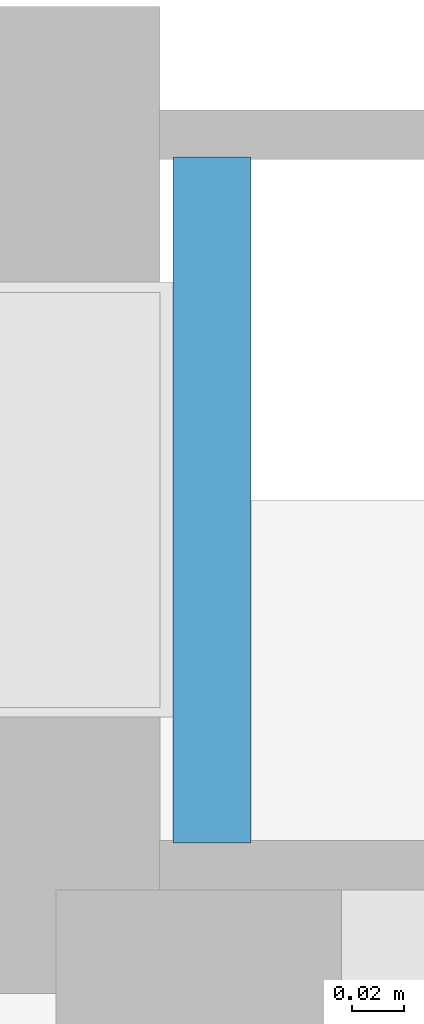
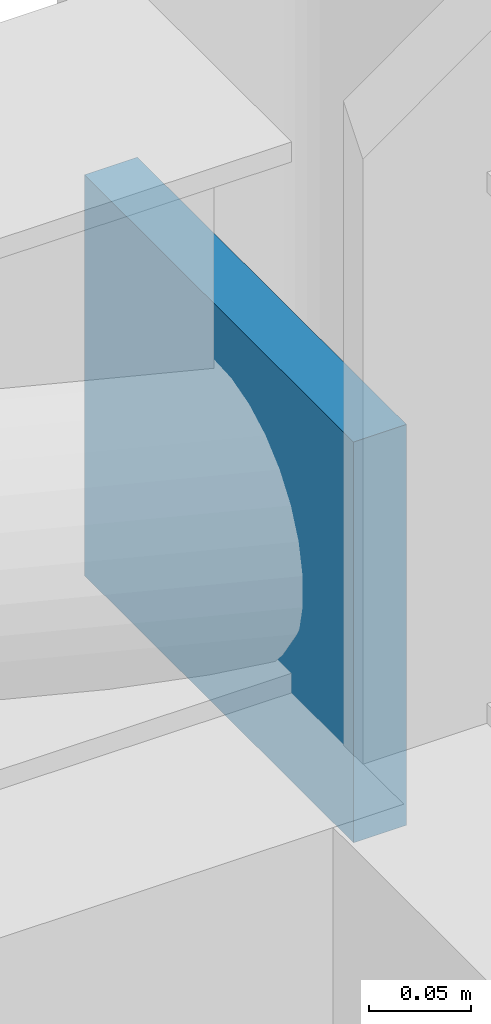
# One storey, part 19 of 23: 1 plate.
"""IFC4 building model written with IfcOpenShell, lengths in metres."""

from ifc_helpers import new_model, si_unit, direction, frame, origin, origin_2d, place, context, subcontext, project, spatial, rectangle, extrude, material, layer, layer_set, type_object, element, save


model = new_model("IFC4")

# Units and contexts
model_context = context("Model", 3, precision=1e-05, world=origin(), true_north=direction((0.0, 1.0)))
body_context = subcontext(model_context, "Body", "Model", "MODEL_VIEW")
ifc_project = project(units=[si_unit("LENGTHUNIT", "METRE"), si_unit("AREAUNIT", "SQUARE_METRE"), si_unit("VOLUMEUNIT", "CUBIC_METRE"), si_unit("PLANEANGLEUNIT", "RADIAN"), si_unit("MASSUNIT", "GRAM", prefix="KILO")], contexts=[model_context])

# Site, building, storey
site_placement = place(None, origin())
site = spatial("IfcSite", under=ifc_project, at=site_placement, CompositionType="ELEMENT")
building_placement = place(site_placement, origin())
building = spatial("IfcBuilding", under=site, at=building_placement, Name="Cendaluz Park School", CompositionType="ELEMENT")
storey_placement = place(building_placement, frame((0.0, 0.0, 67.199951171875)))
storey = spatial("IfcBuildingStorey", under=building, at=storey_placement, Name="L16", CompositionType="ELEMENT", Elevation=67.199951171875)

# Plate
ifc_material = material(Name="Steel S355", Category="steel")
ifc_layer = layer(ifc_material, 0.030029296875)
ifc_layer_set = layer_set([ifc_layer], Name="Steel S355")
plate_type = type_object("IfcPlateType", Name="GP-02", PredefinedType="SHEET", material=ifc_layer_set)
plate_placement = place(storey_placement, frame((107.8701171875, 57.60009765625, 4.10009765625), z_axis=(0.0, 0.0, 1.0), x_axis=(1.0, 0.0, 0.0)))
element("IfcPlate", 1, at=plate_placement, inside=storey, type_object=plate_type, Name="GP-L16-04E", PredefinedType="SHEET", context=body_context, shape_type="SweptSolid", body=[
    extrude(rectangle(XDim=0.030029296875, YDim=0.263916015625, at=origin_2d()), origin(), (0.0, 0.0, 1.0), 0.239990234375),
])

save(model, "model.ifc")
